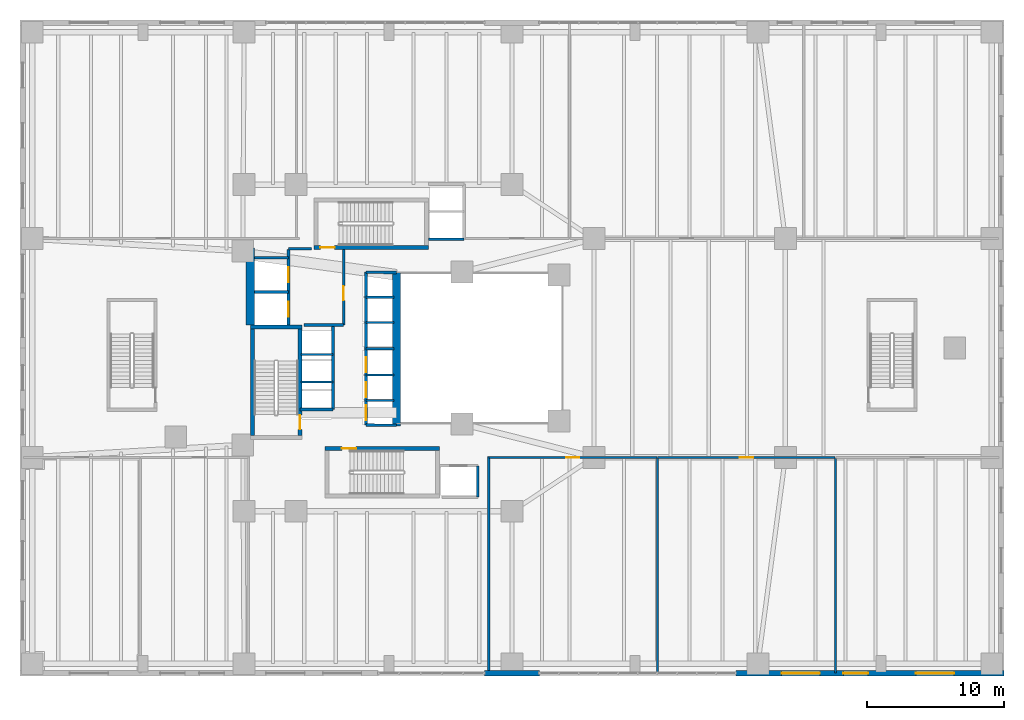
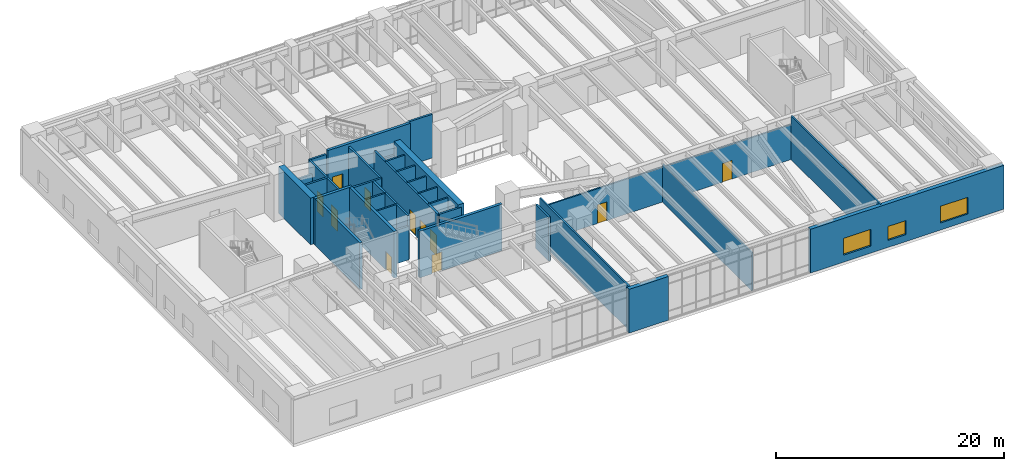
# One storey, part 22 of 26: 34 walls, 11 doors, 3 windows, 14 openings.
"""IFC4 building model written with IfcOpenShell, lengths in metres."""

from ifc_helpers import new_model, si_unit, direction, frame, frame_2d, origin, place, context, subcontext, project, spatial, rectangle, extrude, material, layer, layer_set, type_object, element, fill, save


model = new_model("IFC4")

# Units and contexts
model_context = context("Model", 3, precision=1e-05, world=origin(), true_north=direction((0.0, 1.0)))
body_context = subcontext(model_context, "Body", "Model", "MODEL_VIEW")
ifc_project = project(units=[si_unit("LENGTHUNIT", "METRE"), si_unit("AREAUNIT", "SQUARE_METRE"), si_unit("VOLUMEUNIT", "CUBIC_METRE"), si_unit("PLANEANGLEUNIT", "RADIAN"), si_unit("MASSUNIT", "GRAM", prefix="KILO"), si_unit("THERMODYNAMICTEMPERATUREUNIT", "KELVIN"), si_unit("POWERUNIT", "WATT")], contexts=[model_context])

# Site, building, storey
site_placement = place(None, origin())
site = spatial("IfcSite", under=ifc_project, at=site_placement, CompositionType="ELEMENT")
building_placement = place(site_placement, origin())
building = spatial("IfcBuilding", under=site, at=building_placement, Name="Skarre Station Tower", CompositionType="ELEMENT")
storey_placement = place(building_placement, frame((0.0, 0.0, 6.0)))
storey = spatial("IfcBuildingStorey", under=building, at=storey_placement, Name="L02", CompositionType="ELEMENT", Elevation=6.0)

# Wall, opening, door
ifc_material_1 = material(Name="Acoustic Steel-Stud Gypsum Partition", Category="steel")
ifc_layer_1 = layer(ifc_material_1, 0.14990234375, Name="Acoustic Steel-Stud Gypsum Partition")
ifc_layer_set_1 = layer_set([ifc_layer_1], Name="Acoustic Steel-Stud Gypsum Partition")
wall_type_1 = type_object("IfcWallType", Name="Fire-Rated Corridor Acoustic Partition 150", PredefinedType="PARTITIONING", material=ifc_layer_set_1)
wall_1_placement = place(storey_placement, frame((34.300048828125, 15.97998046875, 0.0), z_axis=(0.0, 0.0, 1.0), x_axis=(1.0, 0.0, 0.0)))
wall_1 = element("IfcWall", 1, at=wall_1_placement, inside=storey, type_object=wall_type_1, Name="L02 Interior Partition WL-PT-L02-PDSE1-CW", PredefinedType="PARTITIONING", context=body_context, shape_type="SweptSolid", body=[
    extrude(rectangle(XDim=12.31201171875, YDim=0.14990234375, at=frame_2d((6.156005859375, 0.0))), origin(), (0.0, 0.0, 1.0), 3.741943359375),
])
opening_1_placement = place(wall_1_placement, frame((5.676025390625, 0.0, 0.0)))
opening_1 = element("IfcOpeningElement", 2, at=opening_1_placement, cuts=wall_1, Name="Opening DR-FD60", PredefinedType="OPENING", context=body_context, shape_type="SweptSolid", body=[
    extrude(rectangle(XDim=0.9599609375, YDim=2.0, at=frame_2d((0.47998046875, 1.0))), frame((0.0, 0.0849609375, 0.0), z_axis=(0.0, -1.0, 0.0), x_axis=(1.0, 0.0, 0.0)), (0.0, 0.0, 1.0), 0.169921875),
])
ifc_material_2 = material(Name="Nordic White-Oak Veneer Solid-Core Fire Leaf", Category="wood")
door_type_1 = type_object("IfcDoorType", Name="Corridor Suite Entry Fire Door FD60 960x2150", OperationType="SINGLE_SWING_LEFT", PredefinedType="DOOR", material=ifc_material_2)
door_1_placement = place(opening_1_placement, origin())
door_1 = element("IfcDoor", 3, at=door_1_placement, inside=storey, type_object=door_type_1, Name="L02 PDSE1 Entry Door", OperationType="SINGLE_SWING_LEFT", OverallHeight=2.0, OverallWidth=0.9599609375, PredefinedType="DOOR", context=body_context, shape_type="SweptSolid", body=[
    extrude(rectangle(XDim=0.9599609375, YDim=2.0, at=frame_2d((0.47998046875, 1.0))), frame((0.0, 0.02490234375, 0.0), z_axis=(0.0, -1.0, 0.0), x_axis=(1.0, 0.0, 0.0)), (0.0, 0.0, 1.0), 0.050048828125),
])
fill(opening_1, door_1)

wall_2_placement = place(storey_placement, frame((46.6640625, 15.97998046875, 0.0), z_axis=(0.0, 0.0, 1.0), x_axis=(1.0, 0.0, 0.0)))
wall_2 = element("IfcWall", 4, at=wall_2_placement, inside=storey, type_object=wall_type_1, Name="L02 Interior Partition WL-PT-L02-PDSE2-CW", PredefinedType="PARTITIONING", context=body_context, shape_type="SweptSolid", body=[
    extrude(rectangle(XDim=12.988037109375, YDim=0.14990234375, at=frame_2d((6.494140625, 0.0))), origin(), (0.0, 0.0, 1.0), 3.741943359375),
])
opening_2_placement = place(wall_2_placement, frame((6.013916015625, 0.0, 0.0)))
opening_2 = element("IfcOpeningElement", 5, at=opening_2_placement, cuts=wall_2, Name="Opening DR-FD60", PredefinedType="OPENING", context=body_context, shape_type="SweptSolid", body=[
    extrude(rectangle(XDim=0.9599609375, YDim=2.0, at=frame_2d((0.47998046875, 1.0))), frame((0.0, 0.0849609375, 0.0), z_axis=(0.0, -1.0, 0.0), x_axis=(1.0, 0.0, 0.0)), (0.0, 0.0, 1.0), 0.169921875),
])
door_2_placement = place(opening_2_placement, origin())
door_2 = element("IfcDoor", 6, at=door_2_placement, inside=storey, type_object=door_type_1, Name="L02 PDSE2 Entry Door", OperationType="SINGLE_SWING_LEFT", OverallHeight=2.0, OverallWidth=0.9599609375, PredefinedType="DOOR", context=body_context, shape_type="SweptSolid", body=[
    extrude(rectangle(XDim=0.9599609375, YDim=2.0, at=frame_2d((0.47998046875, 1.0))), frame((0.0, 0.02490234375, 0.0), z_axis=(0.0, -1.0, 0.0), x_axis=(1.0, 0.0, 0.0)), (0.0, 0.0, 1.0), 0.050048828125),
])
fill(opening_2, door_2)

# Wall, openings, windows
ifc_material_3 = material(Name="Precast concrete C45/55", Category="concrete")
ifc_layer_2 = layer(ifc_material_3, 0.39990234375, Name="Precast concrete C45/55")
ifc_layer_set_2 = layer_set([ifc_layer_2], Name="Precast concrete C45/55")
wall_type_2 = type_object("IfcWallType", Name="Nordic Granite Station Podium Wall 400", PredefinedType="STANDARD", material=ifc_layer_set_2)
wall_3_placement = place(storey_placement, frame((72.0, 0.199951171875, 0.0), z_axis=(0.0, 0.0, 1.0), x_axis=(-1.0, 0.0, 0.0)))
wall_3 = element("IfcWall", 7, at=wall_3_placement, inside=storey, type_object=wall_type_2, Name="L02 South Podium Granite Wall SA", PredefinedType="STANDARD", context=body_context, shape_type="SweptSolid", body=[
    extrude(rectangle(XDim=19.60009765625, YDim=0.39990234375, at=frame_2d((9.800048828125, 0.0))), origin(), (0.0, 0.0, 1.0), 4.68994140625),
])
opening_3_placement = place(wall_3_placement, frame((3.64990234375, 0.0, 0.75)))
opening_3 = element("IfcOpeningElement", 8, at=opening_3_placement, cuts=wall_3, Name="Opening WN-POD", PredefinedType="OPENING", context=body_context, shape_type="SweptSolid", body=[
    extrude(rectangle(XDim=2.800048828125, YDim=1.800048828125, at=frame_2d((1.39990234375, 0.89990234375))), frame((0.0, 0.2099609375, 0.0), z_axis=(0.0, -1.0, 0.0), x_axis=(1.0, 0.0, 0.0)), (0.0, 0.0, 1.0), 0.419921875),
])
opening_4_placement = place(wall_3_placement, frame((9.949951171875, 0.0, 0.75)))
opening_4 = element("IfcOpeningElement", 9, at=opening_4_placement, cuts=wall_3, Name="Opening WN-Z1A", PredefinedType="OPENING", context=body_context, shape_type="SweptSolid", body=[
    extrude(rectangle(XDim=1.800048828125, YDim=1.5, at=frame_2d((0.89990234375, 0.75))), frame((0.0, 0.2099609375, 0.0), z_axis=(0.0, -1.0, 0.0), x_axis=(1.0, 0.0, 0.0)), (0.0, 0.0, 1.0), 0.419921875),
])
opening_5_placement = place(wall_3_placement, frame((13.471923828125, 0.0, 0.75)))
opening_5 = element("IfcOpeningElement", 10, at=opening_5_placement, cuts=wall_3, Name="Opening WN-POD", PredefinedType="OPENING", context=body_context, shape_type="SweptSolid", body=[
    extrude(rectangle(XDim=2.800048828125, YDim=1.800048828125, at=frame_2d((1.39990234375, 0.89990234375))), frame((0.0, 0.2099609375, 0.0), z_axis=(0.0, -1.0, 0.0), x_axis=(1.0, 0.0, 0.0)), (0.0, 0.0, 1.0), 0.419921875),
])
ifc_material_4 = material(Name="Low-Iron Triple Glazing with Bronze Anodized Frame", Category="glass")
window_type_1 = type_object("IfcWindowType", Name="Nordic Punched Triple-Glazed Window 1800x1500", PartitioningType="SINGLE_PANEL", PredefinedType="WINDOW", material=ifc_material_4)
window_1_placement = place(opening_4_placement, origin())
window_1 = element("IfcWindow", 11, at=window_1_placement, inside=storey, type_object=window_type_1, Name="L02 Facade Window WL-POD-L02-SA-2", OverallHeight=1.5, OverallWidth=1.800048828125, PartitioningType="SINGLE_PANEL", PredefinedType="WINDOW", context=body_context, shape_type="SweptSolid", body=[
    extrude(rectangle(XDim=1.800048828125, YDim=1.5, at=frame_2d((0.89990234375, 0.75))), frame((0.0, 0.030029296875, 0.0), z_axis=(0.0, -1.0, 0.0), x_axis=(1.0, 0.0, 0.0)), (0.0, 0.0, 1.0), 0.06005859375),
])
fill(opening_4, window_1)
window_type_2 = type_object("IfcWindowType", Name="Podium Clerestory Ribbon Window 2800x1800", PartitioningType="SINGLE_PANEL", PredefinedType="WINDOW", material=ifc_material_4)
window_2_placement = place(opening_3_placement, origin())
window_2 = element("IfcWindow", 12, at=window_2_placement, inside=storey, type_object=window_type_2, Name="L02 Facade Window WL-POD-L02-SA-1", OverallHeight=1.800048828125, OverallWidth=2.800048828125, PartitioningType="SINGLE_PANEL", PredefinedType="WINDOW", context=body_context, shape_type="SweptSolid", body=[
    extrude(rectangle(XDim=2.800048828125, YDim=1.800048828125, at=frame_2d((1.39990234375, 0.89990234375))), frame((0.0, 0.030029296875, 0.0), z_axis=(0.0, -1.0, 0.0), x_axis=(1.0, 0.0, 0.0)), (0.0, 0.0, 1.0), 0.06005859375),
])
fill(opening_3, window_2)
window_3_placement = place(opening_5_placement, origin())
window_3 = element("IfcWindow", 13, at=window_3_placement, inside=storey, type_object=window_type_2, Name="L02 Facade Window WL-POD-L02-SA-3", OverallHeight=1.800048828125, OverallWidth=2.800048828125, PartitioningType="SINGLE_PANEL", PredefinedType="WINDOW", context=body_context, shape_type="SweptSolid", body=[
    extrude(rectangle(XDim=2.800048828125, YDim=1.800048828125, at=frame_2d((1.39990234375, 0.89990234375))), frame((0.0, 0.030029296875, 0.0), z_axis=(0.0, -1.0, 0.0), x_axis=(1.0, 0.0, 0.0)), (0.0, 0.0, 1.0), 0.06005859375),
])
fill(opening_5, window_3)

# Walls
wall_4_placement = place(storey_placement, frame((38.0, 0.199951171875, 0.0), z_axis=(0.0, 0.0, 1.0), x_axis=(-1.0, 0.0, 0.0)))
element("IfcWall", 14, at=wall_4_placement, inside=storey, type_object=wall_type_2, Name="L02 South Podium Granite Wall SB", PredefinedType="STANDARD", context=body_context, shape_type="SweptSolid", body=[
    extrude(rectangle(XDim=4.0, YDim=0.39990234375, at=frame_2d((2.0, 0.0))), origin(), (0.0, 0.0, 1.0), 4.68994140625),
])
ifc_material_5 = material(Name="Concrete C50/60", Category="concrete")
ifc_layer_3 = layer(ifc_material_5, 0.280029296875, Name="Concrete C50/60")
ifc_layer_set_3 = layer_set([ifc_layer_3], Name="Concrete C50/60")
wall_type_3 = type_object("IfcWallType", Name="RC Core Shear Wall 280", PredefinedType="SHEAR", material=ifc_layer_set_3)
wall_5_placement = place(storey_placement, frame((20.6298828125, 25.5400390625, 0.0), z_axis=(0.0, 0.0, 1.0), x_axis=(-1.0, 0.0, 0.0)))
element("IfcWall", 15, at=wall_5_placement, inside=storey, type_object=wall_type_3, Name="L02 Stair ST-1 North Shear Wall", PredefinedType="SHEAR", context=body_context, shape_type="SweptSolid", body=[
    extrude(rectangle(XDim=3.759765625, YDim=0.280029296875, at=frame_2d((1.8798828125, 0.0))), origin(), (0.0, 0.0, 1.0), 5.0),
])
wall_6_placement = place(storey_placement, frame((17.010009765625, 25.39990234375, 0.0), z_axis=(0.0, 0.0, 1.0), x_axis=(0.0, -1.0, 0.0)))
element("IfcWall", 16, at=wall_6_placement, inside=storey, type_object=wall_type_3, Name="L02 Stair ST-1 West Shear Wall", PredefinedType="SHEAR", context=body_context, shape_type="SweptSolid", body=[
    extrude(rectangle(XDim=7.7998046875, YDim=0.280029296875, at=frame_2d((3.89990234375, 0.0))), origin(), (0.0, 0.0, 1.0), 5.0),
])

# Wall, opening, door
wall_7_placement = place(storey_placement, frame((20.489990234375, 17.60009765625, 0.0), z_axis=(0.0, 0.0, 1.0), x_axis=(0.0, 1.0, 0.0)))
wall_7 = element("IfcWall", 17, at=wall_7_placement, inside=storey, type_object=wall_type_3, Name="L02 Stair ST-1 East Shear Wall", PredefinedType="SHEAR", context=body_context, shape_type="SweptSolid", body=[
    extrude(rectangle(XDim=7.7998046875, YDim=0.280029296875, at=frame_2d((3.89990234375, 0.0))), origin(), (0.0, 0.0, 1.0), 5.0),
])
opening_6_placement = place(wall_7_placement, frame((0.43994140625, 0.0, 0.0)))
opening_6 = element("IfcOpeningElement", 18, at=opening_6_placement, cuts=wall_7, Name="Opening DR-FD90", PredefinedType="OPENING", context=body_context, shape_type="SweptSolid", body=[
    extrude(rectangle(XDim=1.050048828125, YDim=2.0, at=frame_2d((0.52490234375, 1.0))), frame((0.0, 0.14990234375, 0.0), z_axis=(0.0, -1.0, 0.0), x_axis=(1.0, 0.0, 0.0)), (0.0, 0.0, 1.0), 0.300048828125),
])
ifc_material_6 = material(Name="Fire-Rated Insulated Steel Frame & Timber Core Leaf", Category="steel")
door_type_2 = type_object("IfcDoorType", Name="Stair & FSAE Lobby Fire Door FD90 1050x2150", OperationType="SINGLE_SWING_RIGHT", PredefinedType="DOOR", material=ifc_material_6)
door_3_placement = place(opening_6_placement, origin())
door_3 = element("IfcDoor", 19, at=door_3_placement, inside=storey, type_object=door_type_2, Name="L02 Stair ST-1 Exit Door", OperationType="SINGLE_SWING_RIGHT", OverallHeight=2.0, OverallWidth=1.050048828125, PredefinedType="DOOR", context=body_context, shape_type="SweptSolid", body=[
    extrude(rectangle(XDim=1.050048828125, YDim=2.0, at=frame_2d((0.52490234375, 1.0))), frame((0.0, 0.02490234375, 0.0), z_axis=(0.0, -1.0, 0.0), x_axis=(1.0, 0.0, 0.0)), (0.0, 0.0, 1.0), 0.050048828125),
])
fill(opening_6, door_3)

wall_8_placement = place(storey_placement, frame((30.679931640625, 16.639892578125, 0.0), z_axis=(0.0, 0.0, 1.0), x_axis=(-1.0, 0.0, 0.0)))
wall_8 = element("IfcWall", 20, at=wall_8_placement, inside=storey, type_object=wall_type_3, Name="L02 Stair ST-2 North Shear Wall", PredefinedType="SHEAR", context=body_context, shape_type="SweptSolid", body=[
    extrude(rectangle(XDim=8.35986328125, YDim=0.280029296875, at=frame_2d((4.179931640625, 0.0))), origin(), (0.0, 0.0, 1.0), 5.0),
])
opening_7_placement = place(wall_8_placement, frame((6.080078125, 0.0, 0.0)))
opening_7 = element("IfcOpeningElement", 21, at=opening_7_placement, cuts=wall_8, Name="Opening DR-FD90", PredefinedType="OPENING", context=body_context, shape_type="SweptSolid", body=[
    extrude(rectangle(XDim=1.050048828125, YDim=2.0, at=frame_2d((0.52490234375, 1.0))), frame((0.0, 0.14990234375, 0.0), z_axis=(0.0, -1.0, 0.0), x_axis=(1.0, 0.0, 0.0)), (0.0, 0.0, 1.0), 0.300048828125),
])
door_4_placement = place(opening_7_placement, origin())
door_4 = element("IfcDoor", 22, at=door_4_placement, inside=storey, type_object=door_type_2, Name="L02 Stair ST-2 Exit Door", OperationType="SINGLE_SWING_RIGHT", OverallHeight=2.0, OverallWidth=1.050048828125, PredefinedType="DOOR", context=body_context, shape_type="SweptSolid", body=[
    extrude(rectangle(XDim=1.050048828125, YDim=2.0, at=frame_2d((0.52490234375, 1.0))), frame((0.0, 0.02490234375, 0.0), z_axis=(0.0, -1.0, 0.0), x_axis=(1.0, 0.0, 0.0)), (0.0, 0.0, 1.0), 0.050048828125),
])
fill(opening_7, door_4)

wall_9_placement = place(storey_placement, frame((21.52001953125, 31.360107421875, 0.0), z_axis=(0.0, 0.0, 1.0), x_axis=(1.0, 0.0, 0.0)))
wall_9 = element("IfcWall", 23, at=wall_9_placement, inside=storey, type_object=wall_type_3, Name="L02 Stair ST-3 South Shear Wall", PredefinedType="SHEAR", context=body_context, shape_type="SweptSolid", body=[
    extrude(rectangle(XDim=8.35986328125, YDim=0.280029296875, at=frame_2d((4.179931640625, 0.0))), origin(), (0.0, 0.0, 1.0), 5.0),
])
opening_8_placement = place(wall_9_placement, frame((0.449951171875, 0.0, 0.0)))
opening_8 = element("IfcOpeningElement", 24, at=opening_8_placement, cuts=wall_9, Name="Opening DR-FD90", PredefinedType="OPENING", context=body_context, shape_type="SweptSolid", body=[
    extrude(rectangle(XDim=1.050048828125, YDim=2.0, at=frame_2d((0.52490234375, 1.0))), frame((0.0, 0.14990234375, 0.0), z_axis=(0.0, -1.0, 0.0), x_axis=(1.0, 0.0, 0.0)), (0.0, 0.0, 1.0), 0.300048828125),
])
door_5_placement = place(opening_8_placement, origin())
door_5 = element("IfcDoor", 25, at=door_5_placement, inside=storey, type_object=door_type_2, Name="L02 Stair ST-3 & FSAE Lobby Direct Exit Door", OperationType="SINGLE_SWING_LEFT", OverallHeight=2.0, OverallWidth=1.050048828125, PredefinedType="DOOR", context=body_context, shape_type="SweptSolid", body=[
    extrude(rectangle(XDim=1.050048828125, YDim=2.0, at=frame_2d((0.52490234375, 1.0))), frame((0.0, 0.02490234375, 0.0), z_axis=(0.0, -1.0, 0.0), x_axis=(1.0, 0.0, 0.0)), (0.0, 0.0, 1.0), 0.050048828125),
])
fill(opening_8, door_5)

# Walls
ifc_material_7 = material(Name="Concrete C70/85", Category="concrete")
ifc_layer_4 = layer(ifc_material_7, 0.60009765625, Name="Concrete C70/85")
ifc_layer_set_4 = layer_set([ifc_layer_4], Name="Concrete C70/85")
wall_type_4 = type_object("IfcWallType", Name="RC Core Shear Wall 600", PredefinedType="SHEAR", material=ifc_layer_set_4)
wall_10_placement = place(storey_placement, frame((16.85009765625, 25.679931640625, 0.0), z_axis=(0.0, 0.0, 1.0), x_axis=(0.0, 1.0, 0.0)))
element("IfcWall", 26, at=wall_10_placement, inside=storey, type_object=wall_type_4, Name="L02 Core West-North Shear Wall", PredefinedType="SHEAR", context=body_context, shape_type="SweptSolid", body=[
    extrude(rectangle(XDim=5.6201171875, YDim=0.60009765625, at=frame_2d((2.81005859375, 0.0))), origin(), (0.0, 0.0, 1.0), 5.0),
])
wall_11_placement = place(storey_placement, frame((27.550048828125, 29.550048828125, 0.0), z_axis=(0.0, 0.0, 1.0), x_axis=(0.0, -1.0, 0.0)))
element("IfcWall", 27, at=wall_11_placement, inside=storey, type_object=wall_type_4, Name="L02 Core East Atrium Shear Wall", PredefinedType="SHEAR", context=body_context, shape_type="SweptSolid", body=[
    extrude(rectangle(XDim=11.25, YDim=0.60009765625, at=frame_2d((5.625, 0.0))), origin(), (0.0, 0.0, 1.0), 5.0),
])

# Wall, openings, doors
ifc_material_8 = material(Name="Gypsum Concrete Shaft Assembly C30/37", Category="concrete")
ifc_layer_5 = layer(ifc_material_8, 0.199951171875, Name="Gypsum Concrete Shaft Assembly C30/37")
ifc_layer_set_5 = layer_set([ifc_layer_5], Name="Gypsum Concrete Shaft Assembly C30/37")
wall_type_5 = type_object("IfcWallType", Name="Shaft & Core Fire Partition 200", PredefinedType="PARTITIONING", material=ifc_layer_set_5)
wall_12_placement = place(storey_placement, frame((19.64990234375, 25.679931640625, 0.0), z_axis=(0.0, 0.0, 1.0), x_axis=(0.0, 1.0, 0.0)))
wall_12 = element("IfcWall", 28, at=wall_12_placement, inside=storey, type_object=wall_type_5, Name="L02 Interior Partition WL-PT-L02-FSAE-W", PredefinedType="PARTITIONING", context=body_context, shape_type="SweptSolid", body=[
    extrude(rectangle(XDim=5.5400390625, YDim=0.199951171875, at=frame_2d((2.77001953125, 0.0))), origin(), (0.0, 0.0, 1.0), 4.68994140625),
])
opening_9_placement = place(wall_12_placement, frame((0.6201171875, 0.0, 0.0)))
opening_9 = element("IfcOpeningElement", 29, at=opening_9_placement, cuts=wall_12, Name="Opening LD-FF1", PredefinedType="OPENING", context=body_context, shape_type="SweptSolid", body=[
    extrude(rectangle(XDim=1.10009765625, YDim=2.199951171875, at=frame_2d((0.550048828125, 1.10009765625))), frame((0.0, 0.10986328125, 0.0), z_axis=(0.0, -1.0, 0.0), x_axis=(1.0, 0.0, 0.0)), (0.0, 0.0, 1.0), 0.219970703125),
])
opening_10_placement = place(wall_12_placement, frame((3.1201171875, 0.0, 0.0)))
opening_10 = element("IfcOpeningElement", 30, at=opening_10_placement, cuts=wall_12, Name="Opening LD-FF2", PredefinedType="OPENING", context=body_context, shape_type="SweptSolid", body=[
    extrude(rectangle(XDim=1.10009765625, YDim=2.199951171875, at=frame_2d((0.550048828125, 1.10009765625))), frame((0.0, 0.10986328125, 0.0), z_axis=(0.0, -1.0, 0.0), x_axis=(1.0, 0.0, 0.0)), (0.0, 0.0, 1.0), 0.219970703125),
])
ifc_material_9 = material(Name="Fire-Rated Stainless Steel Grade 316L Sliding Leaves", Category="steel")
door_type_3 = type_object("IfcDoorType", Name="Fire Service Access Elevator Sliding Landing Door 1100x2200", OperationType="SLIDING_TO_LEFT", PredefinedType="DOOR", material=ifc_material_9)
door_6_placement = place(opening_9_placement, origin())
door_6 = element("IfcDoor", 31, at=door_6_placement, inside=storey, type_object=door_type_3, Name="L02 Firefighting Lift LF-FF1 Landing Door", OperationType="SLIDING_TO_LEFT", OverallHeight=2.199951171875, OverallWidth=1.10009765625, PredefinedType="DOOR", context=body_context, shape_type="SweptSolid", body=[
    extrude(rectangle(XDim=1.10009765625, YDim=2.199951171875, at=frame_2d((0.550048828125, 1.10009765625))), frame((0.0, 0.02490234375, 0.0), z_axis=(0.0, -1.0, 0.0), x_axis=(1.0, 0.0, 0.0)), (0.0, 0.0, 1.0), 0.050048828125),
])
fill(opening_9, door_6)
door_7_placement = place(opening_10_placement, origin())
door_7 = element("IfcDoor", 32, at=door_7_placement, inside=storey, type_object=door_type_3, Name="L02 Firefighting Lift LF-FF2 Landing Door", OperationType="SLIDING_TO_LEFT", OverallHeight=2.199951171875, OverallWidth=1.10009765625, PredefinedType="DOOR", context=body_context, shape_type="SweptSolid", body=[
    extrude(rectangle(XDim=1.10009765625, YDim=2.199951171875, at=frame_2d((0.550048828125, 1.10009765625))), frame((0.0, 0.02490234375, 0.0), z_axis=(0.0, -1.0, 0.0), x_axis=(1.0, 0.0, 0.0)), (0.0, 0.0, 1.0), 0.050048828125),
])
fill(opening_10, door_7)

# Wall
wall_13_placement = place(storey_placement, frame((20.79296875, 25.679931640625, 0.0), z_axis=(0.0, 0.0, 1.0), x_axis=(1.0, 0.0, 0.0)))
element("IfcWall", 33, at=wall_13_placement, inside=storey, type_object=wall_type_5, Name="L02 Interior Partition WL-PT-L02-FSAE-S", PredefinedType="PARTITIONING", context=body_context, shape_type="SweptSolid", body=[
    extrude(rectangle(XDim=2.886962890625, YDim=0.199951171875, at=frame_2d((1.443359375, 0.0))), origin(), (0.0, 0.0, 1.0), 4.68994140625),
])

# Wall, opening, door
wall_14_placement = place(storey_placement, frame((23.679931640625, 25.679931640625, 0.0), z_axis=(0.0, 0.0, 1.0), x_axis=(0.0, 1.0, 0.0)))
wall_14 = element("IfcWall", 34, at=wall_14_placement, inside=storey, type_object=wall_type_5, Name="L02 Interior Partition WL-PT-L02-FSAE-E", PredefinedType="PARTITIONING", context=body_context, shape_type="SweptSolid", body=[
    extrude(rectangle(XDim=5.5400390625, YDim=0.199951171875, at=frame_2d((2.77001953125, 0.0))), origin(), (0.0, 0.0, 1.0), 4.68994140625),
])
opening_11_placement = place(wall_14_placement, frame((1.800048828125, 0.0, 0.0)))
opening_11 = element("IfcOpeningElement", 35, at=opening_11_placement, cuts=wall_14, Name="Opening DR-FD90", PredefinedType="OPENING", context=body_context, shape_type="SweptSolid", body=[
    extrude(rectangle(XDim=1.050048828125, YDim=2.0, at=frame_2d((0.52490234375, 1.0))), frame((0.0, 0.10986328125, 0.0), z_axis=(0.0, -1.0, 0.0), x_axis=(1.0, 0.0, 0.0)), (0.0, 0.0, 1.0), 0.219970703125),
])
door_8_placement = place(opening_11_placement, origin())
door_8 = element("IfcDoor", 36, at=door_8_placement, inside=storey, type_object=door_type_2, Name="L02 FSAE Lobby Fire Door", OperationType="SINGLE_SWING_RIGHT", OverallHeight=2.0, OverallWidth=1.050048828125, PredefinedType="DOOR", context=body_context, shape_type="SweptSolid", body=[
    extrude(rectangle(XDim=1.050048828125, YDim=2.0, at=frame_2d((0.52490234375, 1.0))), frame((0.0, 0.02490234375, 0.0), z_axis=(0.0, -1.0, 0.0), x_axis=(1.0, 0.0, 0.0)), (0.0, 0.0, 1.0), 0.050048828125),
])
fill(opening_11, door_8)

# Walls
wall_15_placement = place(storey_placement, frame((21.330078125, 31.260009765625, 0.0), z_axis=(0.0, 0.0, 1.0), x_axis=(-1.0, 0.0, 0.0)))
element("IfcWall", 37, at=wall_15_placement, inside=storey, type_object=wall_type_5, Name="L02 Interior Partition WL-PT-L02-FSAE-N", PredefinedType="PARTITIONING", context=body_context, shape_type="SweptSolid", body=[
    extrude(rectangle(XDim=1.68017578125, YDim=0.199951171875, at=frame_2d((0.840087890625, 0.0))), origin(), (0.0, 0.0, 1.0), 4.68994140625),
])
wall_16_placement = place(storey_placement, frame((17.14990234375, 28.10009765625, 0.0), z_axis=(0.0, 0.0, 1.0), x_axis=(1.0, 0.0, 0.0)))
element("IfcWall", 38, at=wall_16_placement, inside=storey, type_object=wall_type_5, Name="L02 Interior Partition WL-PT-L02-FF-DIV", PredefinedType="PARTITIONING", context=body_context, shape_type="SweptSolid", body=[
    extrude(rectangle(XDim=2.5, YDim=0.199951171875, at=frame_2d((1.25, 0.0))), origin(), (0.0, 0.0, 1.0), 4.68994140625),
])
wall_17_placement = place(storey_placement, frame((19.64990234375, 30.60009765625, 0.0), z_axis=(0.0, 0.0, 1.0), x_axis=(-1.0, 0.0, 0.0)))
element("IfcWall", 39, at=wall_17_placement, inside=storey, type_object=wall_type_5, Name="L02 Interior Partition WL-PT-L02-FF-N", PredefinedType="PARTITIONING", context=body_context, shape_type="SweptSolid", body=[
    extrude(rectangle(XDim=2.5, YDim=0.199951171875, at=frame_2d((1.25, 0.0))), origin(), (0.0, 0.0, 1.0), 3.590087890625),
])
wall_18_placement = place(storey_placement, frame((33.5, 13.080078125, 0.0), z_axis=(0.0, 0.0, 1.0), x_axis=(0.0, 1.0, 0.0)))
element("IfcWall", 40, at=wall_18_placement, inside=storey, type_object=wall_type_5, Name="L02 Interior Partition WL-PT-L02-SV1-E", PredefinedType="PARTITIONING", context=body_context, shape_type="SweptSolid", body=[
    extrude(rectangle(XDim=2.2998046875, YDim=0.199951171875, at=frame_2d((1.14990234375, 0.0))), origin(), (0.0, 0.0, 1.0), 4.68994140625),
])
wall_19_placement = place(storey_placement, frame((32.47998046875, 31.949951171875, 0.0), z_axis=(0.0, 0.0, 1.0), x_axis=(-1.0, 0.0, 0.0)))
element("IfcWall", 41, at=wall_19_placement, inside=storey, type_object=wall_type_5, Name="L02 Interior Partition WL-PT-L02-EX-S", PredefinedType="PARTITIONING", context=body_context, shape_type="SweptSolid", body=[
    extrude(rectangle(XDim=2.60009765625, YDim=0.199951171875, at=frame_2d((1.300048828125, 0.0))), origin(), (0.0, 0.0, 1.0), 4.68994140625),
])
wall_20_placement = place(storey_placement, frame((22.89990234375, 19.5, 0.0), z_axis=(0.0, 0.0, 1.0), x_axis=(0.0, 1.0, 0.0)))
element("IfcWall", 42, at=wall_20_placement, inside=storey, type_object=wall_type_5, Name="L02 Interior Partition WL-PT-L02-B3-E", PredefinedType="PARTITIONING", context=body_context, shape_type="SweptSolid", body=[
    extrude(rectangle(XDim=6.0849609375, YDim=0.199951171875, at=frame_2d((3.04248046875, 0.0))), origin(), (0.0, 0.0, 1.0), 4.68994140625),
])
wall_21_placement = place(storey_placement, frame((20.489990234375, 19.5, 0.0), z_axis=(0.0, 0.0, 1.0), x_axis=(1.0, 0.0, 0.0)))
element("IfcWall", 43, at=wall_21_placement, inside=storey, type_object=wall_type_5, Name="L02 Interior Partition WL-PT-L02-B3-S", PredefinedType="PARTITIONING", context=body_context, shape_type="SweptSolid", body=[
    extrude(rectangle(XDim=2.409912109375, YDim=0.199951171875, at=frame_2d((1.205078125, 0.0))), origin(), (0.0, 0.0, 1.0), 3.590087890625),
])
for number, where, z_axis, x_axis, name in (
    (44, (20.550048828125, 21.52001953125, 0.0), (0.0, 0.0, 1.0), (1.0, 0.0, 0.0), "L02 Interior Partition WL-PT-L02-B3-D1"),
    (45, (20.550048828125, 23.52001953125, 0.0), (0.0, 0.0, 1.0), (1.0, 0.0, 0.0), "L02 Interior Partition WL-PT-L02-B3-D2"),
):
    element("IfcWall", number, at=place(storey_placement, frame(where, z_axis=z_axis, x_axis=x_axis)), inside=storey, type_object=wall_type_5, Name=name, PredefinedType="PARTITIONING", context=body_context, shape_type="SweptSolid", body=[
        extrude(rectangle(XDim=2.349853515625, YDim=0.159912109375, at=frame_2d((1.1748046875, 0.0))), origin(), (0.0, 0.0, 1.0), 4.68994140625),
    ])

# Wall, openings, doors
wall_22_placement = place(storey_placement, frame((25.320068359375, 29.550048828125, 0.0), z_axis=(0.0, 0.0, 1.0), x_axis=(0.0, -1.0, 0.0)))
wall_22 = element("IfcWall", 46, at=wall_22_placement, inside=storey, type_object=wall_type_5, Name="L02 Interior Partition WL-PT-L02-B12-W", PredefinedType="PARTITIONING", context=body_context, shape_type="SweptSolid", body=[
    extrude(rectangle(XDim=11.18994140625, YDim=0.199951171875, at=frame_2d((5.594970703125, 0.0))), origin(), (0.0, 0.0, 1.0), 4.68994140625),
])
opening_12_placement = place(wall_22_placement, frame((6.219970703125, 0.0, 0.0)))
opening_12 = element("IfcOpeningElement", 47, at=opening_12_placement, cuts=wall_22, Name="Opening LD-P3", PredefinedType="OPENING", context=body_context, shape_type="SweptSolid", body=[
    extrude(rectangle(XDim=1.10009765625, YDim=2.199951171875, at=frame_2d((0.550048828125, 1.10009765625))), frame((0.0, 0.10986328125, 0.0), z_axis=(0.0, -1.0, 0.0), x_axis=(1.0, 0.0, 0.0)), (0.0, 0.0, 1.0), 0.219970703125),
])
opening_13_placement = place(wall_22_placement, frame((8.070068359375, 0.0, 0.0)))
opening_13 = element("IfcOpeningElement", 48, at=opening_13_placement, cuts=wall_22, Name="Opening LD-P2", PredefinedType="OPENING", context=body_context, shape_type="SweptSolid", body=[
    extrude(rectangle(XDim=1.10009765625, YDim=2.199951171875, at=frame_2d((0.550048828125, 1.10009765625))), frame((0.0, 0.10986328125, 0.0), z_axis=(0.0, -1.0, 0.0), x_axis=(1.0, 0.0, 0.0)), (0.0, 0.0, 1.0), 0.219970703125),
])
opening_14_placement = place(wall_22_placement, frame((9.72998046875, 0.0, 0.0)))
opening_14 = element("IfcOpeningElement", 49, at=opening_14_placement, cuts=wall_22, Name="Opening LD-P1", PredefinedType="OPENING", context=body_context, shape_type="SweptSolid", body=[
    extrude(rectangle(XDim=1.10009765625, YDim=2.199951171875, at=frame_2d((0.550048828125, 1.10009765625))), frame((0.0, 0.10986328125, 0.0), z_axis=(0.0, -1.0, 0.0), x_axis=(1.0, 0.0, 0.0)), (0.0, 0.0, 1.0), 0.219970703125),
])
ifc_material_10 = material(Name="Brushed Bronze Stainless Steel Sliding Leaves", Category="steel")
door_type_4 = type_object("IfcDoorType", Name="Passenger Elevator Center-Parting Sliding Door 1100x2200", OperationType="SLIDING_TO_LEFT", PredefinedType="DOOR", material=ifc_material_10)
door_9_placement = place(opening_12_placement, origin())
door_9 = element("IfcDoor", 50, at=door_9_placement, inside=storey, type_object=door_type_4, Name="L02 Passenger Lift LF-P3 Landing Door", OperationType="SLIDING_TO_LEFT", OverallHeight=2.199951171875, OverallWidth=1.10009765625, PredefinedType="DOOR", context=body_context, shape_type="SweptSolid", body=[
    extrude(rectangle(XDim=1.10009765625, YDim=2.199951171875, at=frame_2d((0.550048828125, 1.10009765625))), frame((0.0, 0.02490234375, 0.0), z_axis=(0.0, -1.0, 0.0), x_axis=(1.0, 0.0, 0.0)), (0.0, 0.0, 1.0), 0.050048828125),
])
fill(opening_12, door_9)
door_10_placement = place(opening_13_placement, origin())
door_10 = element("IfcDoor", 51, at=door_10_placement, inside=storey, type_object=door_type_4, Name="L02 Passenger Lift LF-P2 Landing Door", OperationType="SLIDING_TO_LEFT", OverallHeight=2.199951171875, OverallWidth=1.10009765625, PredefinedType="DOOR", context=body_context, shape_type="SweptSolid", body=[
    extrude(rectangle(XDim=1.10009765625, YDim=2.199951171875, at=frame_2d((0.550048828125, 1.10009765625))), frame((0.0, 0.02490234375, 0.0), z_axis=(0.0, -1.0, 0.0), x_axis=(1.0, 0.0, 0.0)), (0.0, 0.0, 1.0), 0.050048828125),
])
fill(opening_13, door_10)
door_11_placement = place(opening_14_placement, origin())
door_11 = element("IfcDoor", 52, at=door_11_placement, inside=storey, type_object=door_type_4, Name="L02 Passenger Lift LF-P1 Landing Door", OperationType="SLIDING_TO_LEFT", OverallHeight=2.199951171875, OverallWidth=1.10009765625, PredefinedType="DOOR", context=body_context, shape_type="SweptSolid", body=[
    extrude(rectangle(XDim=1.10009765625, YDim=2.199951171875, at=frame_2d((0.550048828125, 1.10009765625))), frame((0.0, 0.02490234375, 0.0), z_axis=(0.0, -1.0, 0.0), x_axis=(1.0, 0.0, 0.0)), (0.0, 0.0, 1.0), 0.050048828125),
])
fill(opening_14, door_11)

# Walls
wall_23_placement = place(storey_placement, frame((25.320068359375, 18.360107421875, 0.0), z_axis=(0.0, 0.0, 1.0), x_axis=(0.999989925833, -0.004488678231, 0.0)))
element("IfcWall", 53, at=wall_23_placement, inside=storey, type_object=wall_type_5, Name="L02 Interior Partition WL-PT-L02-B12-S", PredefinedType="PARTITIONING", context=body_context, shape_type="SweptSolid", body=[
    extrude(rectangle(XDim=2.22998046875, YDim=0.199951171875, at=frame_2d((1.114990234375, 0.0))), origin(), (0.0, 0.0, 1.0), 4.68994140625),
])
wall_24_placement = place(storey_placement, frame((27.550048828125, 29.52001953125, 0.0), z_axis=(0.0, 0.0, 1.0), x_axis=(-0.999909343457, 0.013464949556, 0.0)))
element("IfcWall", 54, at=wall_24_placement, inside=storey, type_object=wall_type_5, Name="L02 Interior Partition WL-PT-L02-B12-N", PredefinedType="PARTITIONING", context=body_context, shape_type="SweptSolid", body=[
    extrude(rectangle(XDim=2.230224609375, YDim=0.199951171875, at=frame_2d((1.115234375, 0.0))), origin(), (0.0, 0.0, 1.0), 3.590087890625),
])
for number, where, z_axis, x_axis, name in (
    (55, (25.320068359375, 20.169921875, 0.0), (0.0, 0.0, 1.0), (1.0, 0.0, 0.0), "L02 Interior Partition WL-PT-L02-B12-D201"),
    (56, (25.320068359375, 22.02001953125, 0.0), (0.0, 0.0, 1.0), (1.0, 0.0, 0.0), "L02 Interior Partition WL-PT-L02-B12-D220"),
    (57, (25.320068359375, 23.949951171875, 0.0), (0.0, 0.0, 1.0), (1.0, 0.0, 0.0), "L02 Interior Partition WL-PT-L02-B12-D239"),
    (58, (25.320068359375, 25.8701171875, 0.0), (0.0, 0.0, 1.0), (1.0, 0.0, 0.0), "L02 Interior Partition WL-PT-L02-B12-D258"),
    (59, (25.320068359375, 27.719970703125, 0.0), (0.0, 0.0, 1.0), (1.0, 0.0, 0.0), "L02 Interior Partition WL-PT-L02-B12-D277"),
):
    element("IfcWall", number, at=place(storey_placement, frame(where, z_axis=z_axis, x_axis=x_axis)), inside=storey, type_object=wall_type_5, Name=name, PredefinedType="PARTITIONING", context=body_context, shape_type="SweptSolid", body=[
        extrude(rectangle(XDim=2.030029296875, YDim=0.159912109375, at=frame_2d((1.01513671875, 0.0))), origin(), (0.0, 0.0, 1.0), 4.68994140625),
    ])
ifc_layer_6 = layer(ifc_material_1, 0.1650390625, Name="Acoustic Steel-Stud Gypsum Partition")
ifc_layer_set_6 = layer_set([ifc_layer_6], Name="Acoustic Steel-Stud Gypsum Partition")
wall_type_6 = type_object("IfcWallType", Name="Suite Demising Acoustic Partition 165", PredefinedType="PARTITIONING", material=ifc_layer_set_6)
wall_25_placement = place(storey_placement, frame((34.300048828125, 0.239990234375, 0.0), z_axis=(0.0, 0.0, 1.0), x_axis=(0.0, 1.0, 0.0)))
element("IfcWall", 60, at=wall_25_placement, inside=storey, type_object=wall_type_6, Name="L02 Interior Partition WL-PT-L02-PDSE-W", PredefinedType="PARTITIONING", context=body_context, shape_type="SweptSolid", body=[
    extrude(rectangle(XDim=15.81005859375, YDim=0.1650390625, at=frame_2d((7.905029296875, 0.0))), origin(), (0.0, 0.0, 1.0), 4.68994140625),
])
wall_26_placement = place(storey_placement, frame((46.637939453125, 0.22998046875, 0.0), z_axis=(0.0, 0.0, 1.0), x_axis=(0.0, 1.0, 0.0)))
element("IfcWall", 61, at=wall_26_placement, inside=storey, type_object=wall_type_6, Name="L02 Interior Partition WL-PT-L02-PDSE-P1", PredefinedType="PARTITIONING", context=body_context, shape_type="SweptSolid", body=[
    extrude(rectangle(XDim=15.679931640625, YDim=0.1650390625, at=frame_2d((7.83984375, 0.0))), origin(), (0.0, 0.0, 1.0), 4.08203125),
])
wall_27_placement = place(storey_placement, frame((59.677978515625, 0.22998046875, 0.0), z_axis=(0.0, 0.0, 1.0), x_axis=(0.0, 1.0, 0.0)))
element("IfcWall", 62, at=wall_27_placement, inside=storey, type_object=wall_type_6, Name="L02 Interior Partition WL-PT-L02-PDSE-P2", PredefinedType="PARTITIONING", context=body_context, shape_type="SweptSolid", body=[
    extrude(rectangle(XDim=15.679931640625, YDim=0.1650390625, at=frame_2d((7.83984375, 0.0))), origin(), (0.0, 0.0, 1.0), 4.68994140625),
])

save(model, "model.ifc")
